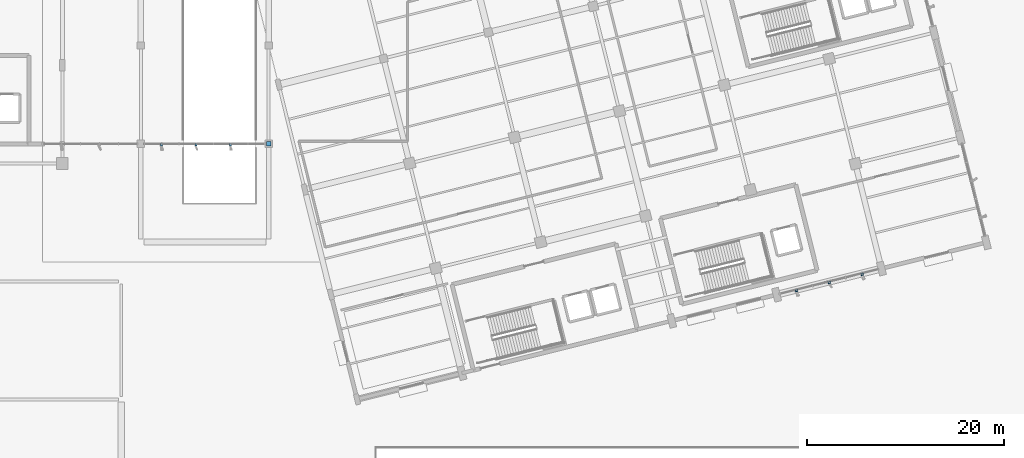
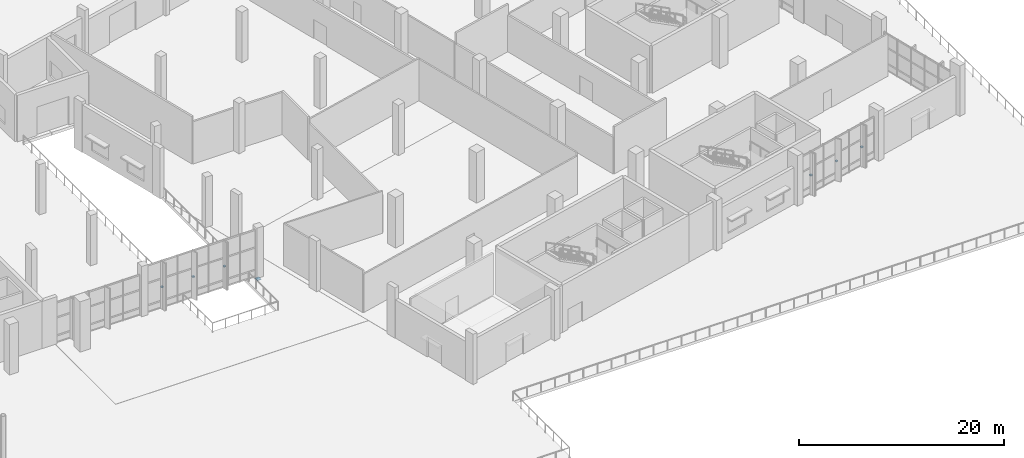
# One storey, part 138 of 163: 7 discrete accessories.
"""IFC4 building model written with IfcOpenShell, lengths in metres."""

import ifcopenshell
import ifcopenshell.guid

model = None  # the IFC model being written
_history = None  # IfcOwnerHistory: only IFC2X3 demands one
_inside = {}  # id of a spatial element -> (the spatial element, [elements in it])
_under = {}  # id of a project, library or spatial element -> (it, [spatial elements below it])
_declared = {}  # id of a project -> (the project, [libraries it declares])
_typed = {}  # id of a type object -> (the type object, [elements of that type])
_made_of = {}  # id of a material, layer set ... -> (it, [elements and type objects made of it])


def new_model(schema):
    """Start an empty IFC model of exactly this schema.

    Asked for "IFC4X3", IfcOpenShell would pick the latest addendum, in which some entities
    have other attributes; the version numbers below select the first issue.
    IFC2X3 requires an IfcOwnerHistory on every rooted entity: one is made here for all.
    """
    global model, _history
    if schema == "IFC4X3":
        model = ifcopenshell.file(schema_version=(4, 3, 0, 0))
    else:
        model = ifcopenshell.file(schema=schema)
    _inside.clear()
    _under.clear()
    _declared.clear()
    _typed.clear()
    _made_of.clear()
    _history = None
    if model.schema == "IFC2X3":
        org = make("IfcOrganization", Name="unknown")
        user = make(
            "IfcPersonAndOrganization",
            ThePerson=make("IfcPerson", FamilyName="unknown"),
            TheOrganization=org,
        )
        app = make(
            "IfcApplication",
            ApplicationDeveloper=org,
            Version="unknown",
            ApplicationFullName="unknown",
            ApplicationIdentifier="unknown",
        )
        _history = make(
            "IfcOwnerHistory",
            OwningUser=user,
            OwningApplication=app,
            ChangeAction="ADDED",
            CreationDate=0,
        )
    return model


def make(cls, **values):
    """One entity of the class cls with the attributes given. An attribute that is None is left unset."""
    return model.create_entity(
        cls, **{name: value for name, value in values.items() if value is not None}
    )


def rooted(cls, **values):
    """An entity with a GlobalId (a new one), such as an element, a storey or a relation."""
    return make(cls, GlobalId=ifcopenshell.guid.new(), OwnerHistory=_history, **values)


def si_unit(unit_type, name, prefix=None):
    """IfcSIUnit, for example si_unit("LENGTHUNIT", "METRE", prefix="MILLI")."""
    return make("IfcSIUnit", UnitType=unit_type, Prefix=prefix, Name=name)


def assignment(units):
    """IfcUnitAssignment: the units of a project."""
    return None if units is None else make("IfcUnitAssignment", Units=units)


def point(xyz):
    """IfcCartesianPoint."""
    return None if xyz is None else make("IfcCartesianPoint", Coordinates=xyz)


def direction(xyz):
    """IfcDirection."""
    return None if xyz is None else make("IfcDirection", DirectionRatios=xyz)


def frame(location, z_axis=None, x_axis=None):
    """IfcAxis2Placement3D, a coordinate frame: its origin and axes. An axis left out is left unset."""
    return make(
        "IfcAxis2Placement3D",
        Location=point(location),
        Axis=direction(z_axis),
        RefDirection=direction(x_axis),
    )


def frame_2d(location, x_axis=None):
    """IfcAxis2Placement2D, a coordinate frame in the plane: its origin and x axis."""
    return make(
        "IfcAxis2Placement2D", Location=point(location), RefDirection=direction(x_axis)
    )


def origin():
    """The frame at (0, 0, 0) with its axes left unset."""
    return frame((0.0, 0.0, 0.0))


def origin_2d():
    """The frame at (0, 0) in the plane with its x axis left unset."""
    return frame_2d((0.0, 0.0))


def place(relative_to, where):
    """IfcLocalPlacement: puts the frame where relative to a parent placement (None: the world)."""
    return make(
        "IfcLocalPlacement", PlacementRelTo=relative_to, RelativePlacement=where
    )


def context(
    kind, dimensions, precision=None, world=None, true_north=None, identifier=None
):
    """IfcGeometricRepresentationContext, for example the 3D "Model" context."""
    return make(
        "IfcGeometricRepresentationContext",
        ContextIdentifier=identifier,
        ContextType=kind,
        CoordinateSpaceDimension=dimensions,
        Precision=precision,
        WorldCoordinateSystem=world,
        TrueNorth=true_north,
    )


def subcontext(parent, identifier, kind, view, scale=None):
    """IfcGeometricRepresentationSubContext, for example "Body" below "Model"."""
    return make(
        "IfcGeometricRepresentationSubContext",
        ContextIdentifier=identifier,
        ContextType=kind,
        ParentContext=parent,
        TargetScale=scale,
        TargetView=view,
    )


def project(units=None, contexts=None):
    """IfcProject with its units and contexts."""
    return rooted(
        "IfcProject",
        Name="project",
        RepresentationContexts=contexts,
        UnitsInContext=assignment(units),
    )


def spatial(cls, under=None, at=None, **own):
    """A site, building, storey or space (cls), placed at a placement, below another one or the project."""
    s = rooted(cls, ObjectPlacement=at, **own)
    if under is not None:
        _under.setdefault(under.id(), (under, []))[1].append(s)
    return s


def profile(cls, at=None, kind="AREA", **sizes):
    """A parametric profile (cls). Its sizes go by their IFC names, for example OverallWidth=200.0."""
    return make(cls, ProfileType=kind, Position=at, **sizes)


def rectangle(**sizes):
    """IfcRectangleProfileDef."""
    return profile("IfcRectangleProfileDef", **sizes)


def extrude(swept, where, along, depth):
    """IfcExtrudedAreaSolid: the profile swept, set in the frame where, extruded along a direction by depth."""
    return make(
        "IfcExtrudedAreaSolid",
        SweptArea=swept,
        Position=where,
        ExtrudedDirection=direction(along),
        Depth=depth,
    )


def shape(context_of_items, identifier, shape_type, items):
    """IfcShapeRepresentation: the items that make up one representation, for example the "Body"."""
    return make(
        "IfcShapeRepresentation",
        ContextOfItems=context_of_items,
        RepresentationIdentifier=identifier,
        RepresentationType=shape_type,
        Items=items,
    )


def material(Name=None, Category=None):
    """IfcMaterial."""
    return make("IfcMaterial", Name=Name, Category=Category)


def made_of(thing, what):
    """Note that an element or type object is made of a material, layer set ...; save() writes the relation."""
    if what is not None:
        _made_of.setdefault(what.id(), (what, []))[1].append(thing)
    return thing


def type_object(cls, material=None, **own):
    """A type object (cls), such as IfcWallType, which elements share."""
    return made_of(rooted(cls, **own), material)


def element(
    cls,
    number,
    at=None,
    inside=None,
    cuts=None,
    type_object=None,
    material=None,
    context=None,
    identifier="Body",
    shape_type=None,
    held_by="IfcProductDefinitionShape",
    body=None,
    shapes=None,
    **own,
):
    """One element of the class cls, such as IfcWall. Its Tag is "e" and its number.

    at: its placement. inside: the storey or other place that contains it. cuts: it is an
    opening in that element (IfcRelVoidsElement). A single representation is given by context,
    identifier, shape_type and body (its items); several are given by shapes. held_by: the class
    of the entity that holds the representations. save() writes the other relations.
    """
    e = rooted(cls, Tag="e%d" % number, ObjectPlacement=at, **own)
    if body is not None:
        shapes = [shape(context, identifier, shape_type, body)]
    if shapes is not None:
        e.Representation = make(held_by, Representations=shapes)
    if inside is not None:
        _inside.setdefault(inside.id(), (inside, []))[1].append(e)
    if cuts is not None:
        rooted(
            "IfcRelVoidsElement", RelatingBuildingElement=cuts, RelatedOpeningElement=e
        )
    if type_object is not None:
        _typed.setdefault(type_object.id(), (type_object, []))[1].append(e)
    return made_of(e, material)


def aggregate(whole, parts):
    """IfcRelAggregates: a whole, such as a stair, and the parts it consists of."""
    return rooted("IfcRelAggregates", RelatingObject=whole, RelatedObjects=parts)


def save(model, path):
    """Write the relations noted so far, then the file.

    IfcRelAggregates (storeys below a building ...), IfcRelContainedInSpatialStructure (elements
    in a storey), IfcRelDefinesByType, IfcRelAssociatesMaterial and IfcRelDeclares: one each for
    every whole, place, type object, material and project.
    """
    for whole, parts in _under.values():
        aggregate(whole, parts)
    for where, things in _inside.values():
        rooted(
            "IfcRelContainedInSpatialStructure",
            RelatedElements=things,
            RelatingStructure=where,
        )
    for kind, things in _typed.values():
        rooted("IfcRelDefinesByType", RelatedObjects=things, RelatingType=kind)
    for what, things in _made_of.values():
        rooted("IfcRelAssociatesMaterial", RelatedObjects=things, RelatingMaterial=what)
    for by, libraries in _declared.values():
        rooted("IfcRelDeclares", RelatingContext=by, RelatedDefinitions=libraries)
    model.write(path)


model = new_model("IFC4")

# Units and contexts
model_context = context("Model", 3, precision=1e-05, world=origin(), true_north=direction((0.0, 1.0)))
body_context = subcontext(model_context, "Body", "Model", "MODEL_VIEW")
ifc_project = project(units=[si_unit("LENGTHUNIT", "METRE"), si_unit("AREAUNIT", "SQUARE_METRE"), si_unit("VOLUMEUNIT", "CUBIC_METRE"), si_unit("PLANEANGLEUNIT", "RADIAN"), si_unit("MASSUNIT", "GRAM", prefix="KILO")], contexts=[model_context])

# Site, building, storey
site_placement = place(None, origin())
site = spatial("IfcSite", under=ifc_project, at=site_placement, CompositionType="ELEMENT")
building_placement = place(site_placement, origin())
building = spatial("IfcBuilding", under=site, at=building_placement, Name="Khorjan Park Terminus", CompositionType="ELEMENT")
storey_placement = place(building_placement, origin())
storey = spatial("IfcBuildingStorey", under=building, at=storey_placement, Name="L00", CompositionType="ELEMENT", Elevation=0.0)

# Discrete accessories
ifc_material = material(Name="Steel S355", Category="steel")
discrete_accessory_type_1 = type_object("IfcDiscreteAccessoryType", Name="ACC-BRK-FIN", PredefinedType="BRACKET", material=ifc_material)
for number, where, z_axis, x_axis, name in (
    (1, (146.1107, 27.91, 2.468), (0.0, 0.0, 1.0), (1.0, 0.0, 0.0), "Solar fin structural bracket BK-01 (CW-V5L-S-L00-2-1)"),
    (2, (149.6221, 27.91, 2.468), (0.0, 0.0, 1.0), (1.0, 0.0, 0.0), "Solar fin structural bracket BK-01 (CW-V5L-S-L00-2-3)"),
    (3, (153.1336, 27.91, 2.468), (0.0, 0.0, 1.0), (1.0, 0.0, 0.0), "Solar fin structural bracket BK-01 (CW-V5L-S-L00-2-5)"),
    (4, (210.7072, 13.0541, 2.1913), (0.0, 0.0, 1.0), (0.970298180833, 0.241912050695, 0.0), "Solar fin structural bracket BK-01 (CW-V5-S-L00-B05-1)"),
    (5, (214.0514, 13.8878, 2.1913), (0.0, 0.0, 1.0), (0.970298180833, 0.241912050695, 0.0), "Solar fin structural bracket BK-01 (CW-V5-S-L00-B05-3)"),
    (6, (217.3956, 14.7216, 2.1913), (0.0, 0.0, 1.0), (0.970298180833, 0.241912050695, 0.0), "Solar fin structural bracket BK-01 (CW-V5-S-L00-B05-5)"),
):
    element("IfcDiscreteAccessory", number, at=place(storey_placement, frame(where, z_axis=z_axis, x_axis=x_axis)), inside=storey, type_object=discrete_accessory_type_1, Name=name, PredefinedType="BRACKET", context=body_context, shape_type="SweptSolid", body=[
        extrude(rectangle(XDim=0.22, YDim=0.22, at=origin_2d()), origin(), (0.0, 0.0, 1.0), 0.14),
    ])
discrete_accessory_type_2 = type_object("IfcDiscreteAccessoryType", Name="ACC-SHOE-PTFE", PredefinedType="SHOE", material=ifc_material)
discrete_accessory_placement = place(storey_placement, frame((157.0, 28.0, -0.41), z_axis=(0.0, 0.0, 1.0), x_axis=(1.0, 0.0, 0.0)))
element("IfcDiscreteAccessory", 7, at=discrete_accessory_placement, inside=storey, type_object=discrete_accessory_type_2, Name="Unguided PTFE elastomeric movement-joint bearing BRG-01 (5)", PredefinedType="SHOE", context=body_context, shape_type="SweptSolid", body=[
    extrude(rectangle(XDim=0.45, YDim=0.45, at=origin_2d()), origin(), (0.0, 0.0, 1.0), 0.08),
])

save(model, "model.ifc")
